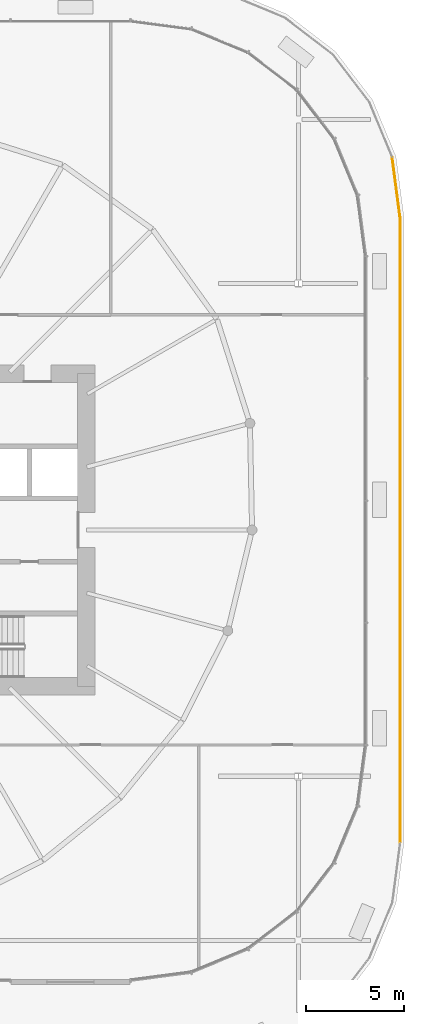
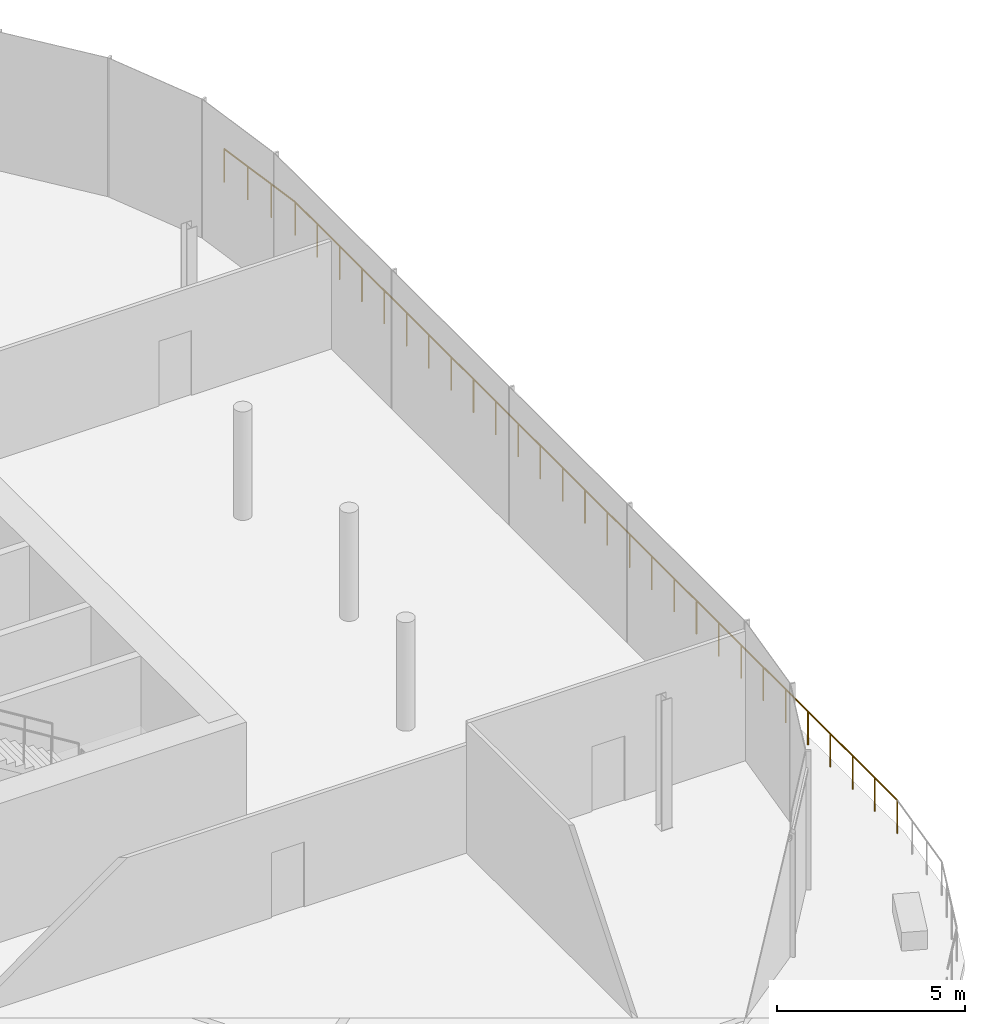
# One storey, part 46 of 49: 1 railing.
"""IFC4 building model written with IfcOpenShell, lengths in metres."""

import ifcopenshell
import ifcopenshell.guid

model = None  # the IFC model being written
_history = None  # IfcOwnerHistory: only IFC2X3 demands one
_inside = {}  # id of a spatial element -> (the spatial element, [elements in it])
_under = {}  # id of a project, library or spatial element -> (it, [spatial elements below it])
_declared = {}  # id of a project -> (the project, [libraries it declares])
_typed = {}  # id of a type object -> (the type object, [elements of that type])
_made_of = {}  # id of a material, layer set ... -> (it, [elements and type objects made of it])


def new_model(schema):
    """Start an empty IFC model of exactly this schema.

    Asked for "IFC4X3", IfcOpenShell would pick the latest addendum, in which some entities
    have other attributes; the version numbers below select the first issue.
    IFC2X3 requires an IfcOwnerHistory on every rooted entity: one is made here for all.
    """
    global model, _history
    if schema == "IFC4X3":
        model = ifcopenshell.file(schema_version=(4, 3, 0, 0))
    else:
        model = ifcopenshell.file(schema=schema)
    _inside.clear()
    _under.clear()
    _declared.clear()
    _typed.clear()
    _made_of.clear()
    _history = None
    if model.schema == "IFC2X3":
        org = make("IfcOrganization", Name="unknown")
        user = make(
            "IfcPersonAndOrganization",
            ThePerson=make("IfcPerson", FamilyName="unknown"),
            TheOrganization=org,
        )
        app = make(
            "IfcApplication",
            ApplicationDeveloper=org,
            Version="unknown",
            ApplicationFullName="unknown",
            ApplicationIdentifier="unknown",
        )
        _history = make(
            "IfcOwnerHistory",
            OwningUser=user,
            OwningApplication=app,
            ChangeAction="ADDED",
            CreationDate=0,
        )
    return model


def make(cls, **values):
    """One entity of the class cls with the attributes given. An attribute that is None is left unset."""
    return model.create_entity(
        cls, **{name: value for name, value in values.items() if value is not None}
    )


def rooted(cls, **values):
    """An entity with a GlobalId (a new one), such as an element, a storey or a relation."""
    return make(cls, GlobalId=ifcopenshell.guid.new(), OwnerHistory=_history, **values)


def si_unit(unit_type, name, prefix=None):
    """IfcSIUnit, for example si_unit("LENGTHUNIT", "METRE", prefix="MILLI")."""
    return make("IfcSIUnit", UnitType=unit_type, Prefix=prefix, Name=name)


def assignment(units):
    """IfcUnitAssignment: the units of a project."""
    return None if units is None else make("IfcUnitAssignment", Units=units)


def point(xyz):
    """IfcCartesianPoint."""
    return None if xyz is None else make("IfcCartesianPoint", Coordinates=xyz)


def direction(xyz):
    """IfcDirection."""
    return None if xyz is None else make("IfcDirection", DirectionRatios=xyz)


def frame(location, z_axis=None, x_axis=None):
    """IfcAxis2Placement3D, a coordinate frame: its origin and axes. An axis left out is left unset."""
    return make(
        "IfcAxis2Placement3D",
        Location=point(location),
        Axis=direction(z_axis),
        RefDirection=direction(x_axis),
    )


def frame_2d(location, x_axis=None):
    """IfcAxis2Placement2D, a coordinate frame in the plane: its origin and x axis."""
    return make(
        "IfcAxis2Placement2D", Location=point(location), RefDirection=direction(x_axis)
    )


def origin():
    """The frame at (0, 0, 0) with its axes left unset."""
    return frame((0.0, 0.0, 0.0))


def origin_2d():
    """The frame at (0, 0) in the plane with its x axis left unset."""
    return frame_2d((0.0, 0.0))


def place(relative_to, where):
    """IfcLocalPlacement: puts the frame where relative to a parent placement (None: the world)."""
    return make(
        "IfcLocalPlacement", PlacementRelTo=relative_to, RelativePlacement=where
    )


def context(
    kind, dimensions, precision=None, world=None, true_north=None, identifier=None
):
    """IfcGeometricRepresentationContext, for example the 3D "Model" context."""
    return make(
        "IfcGeometricRepresentationContext",
        ContextIdentifier=identifier,
        ContextType=kind,
        CoordinateSpaceDimension=dimensions,
        Precision=precision,
        WorldCoordinateSystem=world,
        TrueNorth=true_north,
    )


def subcontext(parent, identifier, kind, view, scale=None):
    """IfcGeometricRepresentationSubContext, for example "Body" below "Model"."""
    return make(
        "IfcGeometricRepresentationSubContext",
        ContextIdentifier=identifier,
        ContextType=kind,
        ParentContext=parent,
        TargetScale=scale,
        TargetView=view,
    )


def project(units=None, contexts=None):
    """IfcProject with its units and contexts."""
    return rooted(
        "IfcProject",
        Name="project",
        RepresentationContexts=contexts,
        UnitsInContext=assignment(units),
    )


def spatial(cls, under=None, at=None, **own):
    """A site, building, storey or space (cls), placed at a placement, below another one or the project."""
    s = rooted(cls, ObjectPlacement=at, **own)
    if under is not None:
        _under.setdefault(under.id(), (under, []))[1].append(s)
    return s


def profile(cls, at=None, kind="AREA", **sizes):
    """A parametric profile (cls). Its sizes go by their IFC names, for example OverallWidth=200.0."""
    return make(cls, ProfileType=kind, Position=at, **sizes)


def circle(**sizes):
    """IfcCircleProfileDef."""
    return profile("IfcCircleProfileDef", **sizes)


def extrude(swept, where, along, depth):
    """IfcExtrudedAreaSolid: the profile swept, set in the frame where, extruded along a direction by depth."""
    return make(
        "IfcExtrudedAreaSolid",
        SweptArea=swept,
        Position=where,
        ExtrudedDirection=direction(along),
        Depth=depth,
    )


def shape(context_of_items, identifier, shape_type, items):
    """IfcShapeRepresentation: the items that make up one representation, for example the "Body"."""
    return make(
        "IfcShapeRepresentation",
        ContextOfItems=context_of_items,
        RepresentationIdentifier=identifier,
        RepresentationType=shape_type,
        Items=items,
    )


def material(Name=None, Category=None):
    """IfcMaterial."""
    return make("IfcMaterial", Name=Name, Category=Category)


def made_of(thing, what):
    """Note that an element or type object is made of a material, layer set ...; save() writes the relation."""
    if what is not None:
        _made_of.setdefault(what.id(), (what, []))[1].append(thing)
    return thing


def type_object(cls, material=None, **own):
    """A type object (cls), such as IfcWallType, which elements share."""
    return made_of(rooted(cls, **own), material)


def element(
    cls,
    number,
    at=None,
    inside=None,
    cuts=None,
    type_object=None,
    material=None,
    context=None,
    identifier="Body",
    shape_type=None,
    held_by="IfcProductDefinitionShape",
    body=None,
    shapes=None,
    **own,
):
    """One element of the class cls, such as IfcWall. Its Tag is "e" and its number.

    at: its placement. inside: the storey or other place that contains it. cuts: it is an
    opening in that element (IfcRelVoidsElement). A single representation is given by context,
    identifier, shape_type and body (its items); several are given by shapes. held_by: the class
    of the entity that holds the representations. save() writes the other relations.
    """
    e = rooted(cls, Tag="e%d" % number, ObjectPlacement=at, **own)
    if body is not None:
        shapes = [shape(context, identifier, shape_type, body)]
    if shapes is not None:
        e.Representation = make(held_by, Representations=shapes)
    if inside is not None:
        _inside.setdefault(inside.id(), (inside, []))[1].append(e)
    if cuts is not None:
        rooted(
            "IfcRelVoidsElement", RelatingBuildingElement=cuts, RelatedOpeningElement=e
        )
    if type_object is not None:
        _typed.setdefault(type_object.id(), (type_object, []))[1].append(e)
    return made_of(e, material)


def aggregate(whole, parts):
    """IfcRelAggregates: a whole, such as a stair, and the parts it consists of."""
    return rooted("IfcRelAggregates", RelatingObject=whole, RelatedObjects=parts)


def save(model, path):
    """Write the relations noted so far, then the file.

    IfcRelAggregates (storeys below a building ...), IfcRelContainedInSpatialStructure (elements
    in a storey), IfcRelDefinesByType, IfcRelAssociatesMaterial and IfcRelDeclares: one each for
    every whole, place, type object, material and project.
    """
    for whole, parts in _under.values():
        aggregate(whole, parts)
    for where, things in _inside.values():
        rooted(
            "IfcRelContainedInSpatialStructure",
            RelatedElements=things,
            RelatingStructure=where,
        )
    for kind, things in _typed.values():
        rooted("IfcRelDefinesByType", RelatedObjects=things, RelatingType=kind)
    for what, things in _made_of.values():
        rooted("IfcRelAssociatesMaterial", RelatedObjects=things, RelatingMaterial=what)
    for by, libraries in _declared.values():
        rooted("IfcRelDeclares", RelatingContext=by, RelatedDefinitions=libraries)
    model.write(path)


model = new_model("IFC4")

# Units and contexts
model_context = context("Model", 3, precision=1e-05, world=origin(), true_north=direction((0.0, 1.0)))
body_context = subcontext(model_context, "Body", "Model", "MODEL_VIEW")
ifc_project = project(units=[si_unit("LENGTHUNIT", "METRE"), si_unit("AREAUNIT", "SQUARE_METRE"), si_unit("VOLUMEUNIT", "CUBIC_METRE"), si_unit("PLANEANGLEUNIT", "RADIAN"), si_unit("MASSUNIT", "GRAM", prefix="KILO")], contexts=[model_context])

# Site, building, storey
site_placement = place(None, origin())
site = spatial("IfcSite", under=ifc_project, at=site_placement, CompositionType="ELEMENT")
building_placement = place(site_placement, origin())
building = spatial("IfcBuilding", under=site, at=building_placement, Name="Rimbun Link Towers", CompositionType="ELEMENT")
storey_placement = place(building_placement, frame((0.0, 0.0, 25.5)))
storey = spatial("IfcBuildingStorey", under=building, at=storey_placement, Name="L05", CompositionType="ELEMENT", Elevation=25.5)

# Railing
ifc_material = material(Name="Toughened laminated glass, stainless steel grade 316 posts and cap rail", Category="steel")
railing_type = type_object("IfcRailingType", Name="GUARD glass balustrade with stainless cap rail", PredefinedType="BALUSTRADE", material=ifc_material)
railing_placement = place(storey_placement, frame((59.800048828125, -15.98681640625, 0.0)))
element("IfcRailing", 1, at=railing_placement, inside=storey, type_object=railing_type, Name="GUARD glass balustrade", PredefinedType="BALUSTRADE", context=body_context, shape_type="SweptSolid", body=[
    extrude(circle(Radius=0.02392578125, at=origin_2d()), frame((0.0, 0.0, 1.076171875), z_axis=(0.0, 1.0, 0.0), x_axis=(-1.0, 0.0, 0.0)), (0.0, 0.0, 1.0), 31.9736328125),
    extrude(circle(Radius=0.02392578125, at=origin_2d()), frame((0.0, 31.9736328125, 1.076171875), z_axis=(-0.130540259305, 0.991443009305, 0.0), x_axis=(-0.991443009305, -0.130540259305, 0.0)), (0.0, 0.0, 1.0), 3.09326171875),
    extrude(circle(Radius=0.02099609375, at=origin_2d()), origin(), (0.0, 0.0, 1.0), 1.052001953125),
    extrude(circle(Radius=0.02099609375, at=origin_2d()), frame((0.0, 1.184326171875, 0.0)), (0.0, 0.0, 1.0), 1.052001953125),
    extrude(circle(Radius=0.02099609375, at=origin_2d()), frame((0.0, 2.368408203125, 0.0)), (0.0, 0.0, 1.0), 1.052001953125),
    extrude(circle(Radius=0.02099609375, at=origin_2d()), frame((0.0, 3.552734375, 0.0)), (0.0, 0.0, 1.0), 1.052001953125),
    extrude(circle(Radius=0.02099609375, at=origin_2d()), frame((0.0, 4.73681640625, 0.0)), (0.0, 0.0, 1.0), 1.052001953125),
    extrude(circle(Radius=0.02099609375, at=origin_2d()), frame((0.0, 5.921142578125, 0.0)), (0.0, 0.0, 1.0), 1.052001953125),
    extrude(circle(Radius=0.02099609375, at=origin_2d()), frame((0.0, 7.105224609375, 0.0)), (0.0, 0.0, 1.0), 1.052001953125),
    extrude(circle(Radius=0.02099609375, at=origin_2d()), frame((0.0, 8.28955078125, 0.0)), (0.0, 0.0, 1.0), 1.052001953125),
    extrude(circle(Radius=0.02099609375, at=origin_2d()), frame((0.0, 9.4736328125, 0.0)), (0.0, 0.0, 1.0), 1.052001953125),
    extrude(circle(Radius=0.02099609375, at=origin_2d()), frame((0.0, 10.657958984375, 0.0)), (0.0, 0.0, 1.0), 1.052001953125),
    extrude(circle(Radius=0.02099609375, at=origin_2d()), frame((0.0, 11.842041015625, 0.0)), (0.0, 0.0, 1.0), 1.052001953125),
    extrude(circle(Radius=0.02099609375, at=origin_2d()), frame((0.0, 13.0263671875, 0.0)), (0.0, 0.0, 1.0), 1.052001953125),
    extrude(circle(Radius=0.02099609375, at=origin_2d()), frame((0.0, 14.21044921875, 0.0)), (0.0, 0.0, 1.0), 1.052001953125),
    extrude(circle(Radius=0.02099609375, at=origin_2d()), frame((0.0, 15.394775390625, 0.0)), (0.0, 0.0, 1.0), 1.052001953125),
    extrude(circle(Radius=0.02099609375, at=origin_2d()), frame((0.0, 16.578857421875, 0.0)), (0.0, 0.0, 1.0), 1.052001953125),
    extrude(circle(Radius=0.02099609375, at=origin_2d()), frame((0.0, 17.76318359375, 0.0)), (0.0, 0.0, 1.0), 1.052001953125),
    extrude(circle(Radius=0.02099609375, at=origin_2d()), frame((0.0, 18.947265625, 0.0)), (0.0, 0.0, 1.0), 1.052001953125),
    extrude(circle(Radius=0.02099609375, at=origin_2d()), frame((0.0, 20.131591796875, 0.0)), (0.0, 0.0, 1.0), 1.052001953125),
    extrude(circle(Radius=0.02099609375, at=origin_2d()), frame((0.0, 21.315673828125, 0.0)), (0.0, 0.0, 1.0), 1.052001953125),
    extrude(circle(Radius=0.02099609375, at=origin_2d()), frame((0.0, 22.5, 0.0)), (0.0, 0.0, 1.0), 1.052001953125),
    extrude(circle(Radius=0.02099609375, at=origin_2d()), frame((0.0, 23.68408203125, 0.0)), (0.0, 0.0, 1.0), 1.052001953125),
    extrude(circle(Radius=0.02099609375, at=origin_2d()), frame((0.0, 24.868408203125, 0.0)), (0.0, 0.0, 1.0), 1.052001953125),
    extrude(circle(Radius=0.02099609375, at=origin_2d()), frame((0.0, 26.052490234375, 0.0)), (0.0, 0.0, 1.0), 1.052001953125),
    extrude(circle(Radius=0.02099609375, at=origin_2d()), frame((0.0, 27.23681640625, 0.0)), (0.0, 0.0, 1.0), 1.052001953125),
    extrude(circle(Radius=0.02099609375, at=origin_2d()), frame((0.0, 28.4208984375, 0.0)), (0.0, 0.0, 1.0), 1.052001953125),
    extrude(circle(Radius=0.02099609375, at=origin_2d()), frame((0.0, 29.605224609375, 0.0)), (0.0, 0.0, 1.0), 1.052001953125),
    extrude(circle(Radius=0.02099609375, at=origin_2d()), frame((0.0, 30.789306640625, 0.0)), (0.0, 0.0, 1.0), 1.052001953125),
    extrude(circle(Radius=0.02099609375, at=origin_2d()), frame((0.0, 31.9736328125, 0.0)), (0.0, 0.0, 1.0), 1.052001953125),
    extrude(circle(Radius=0.02099609375, at=origin_2d()), frame((-0.134521484375, 32.995849609375, 0.0)), (0.0, 0.0, 1.0), 1.052001953125),
    extrude(circle(Radius=0.02099609375, at=origin_2d()), frame((-0.269287109375, 34.018310546875, 0.0)), (0.0, 0.0, 1.0), 1.052001953125),
    extrude(circle(Radius=0.02099609375, at=origin_2d()), frame((-0.40380859375, 35.04052734375, 0.0)), (0.0, 0.0, 1.0), 1.052001953125),
])

save(model, "model.ifc")
